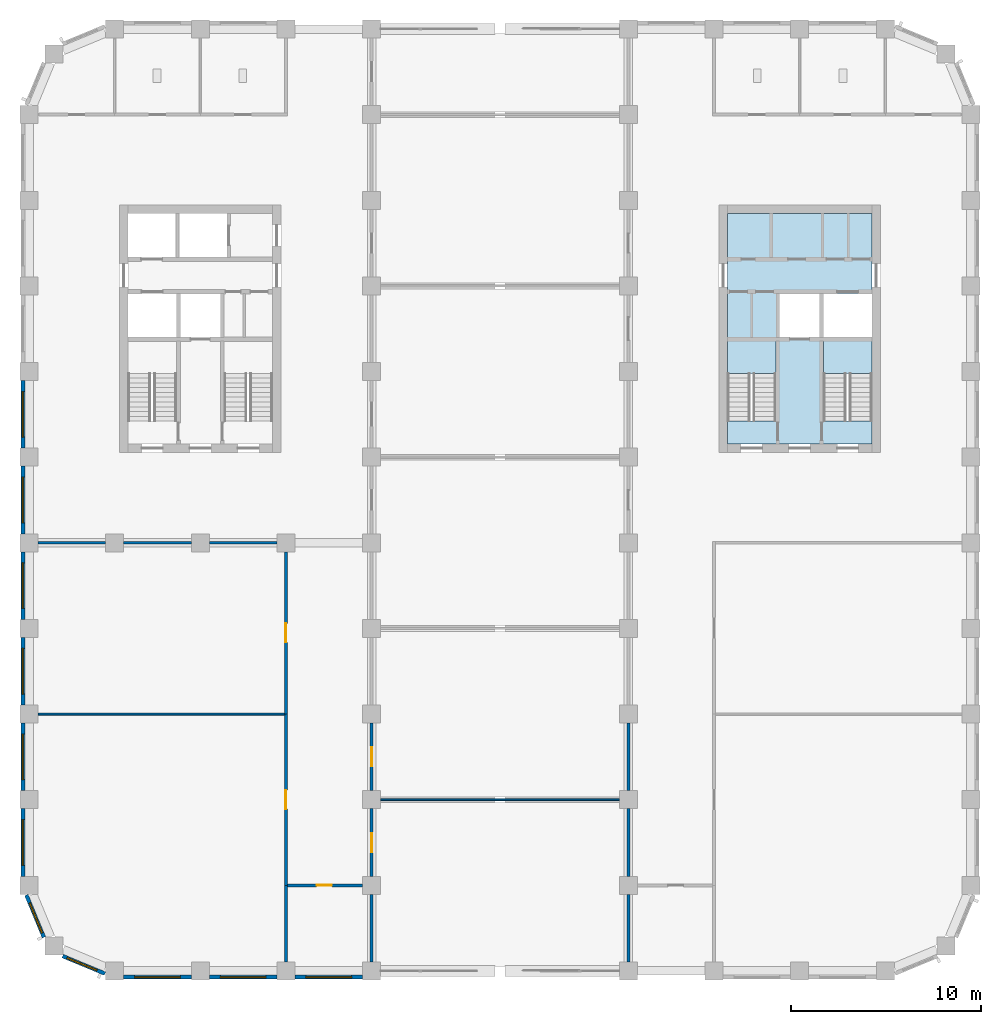
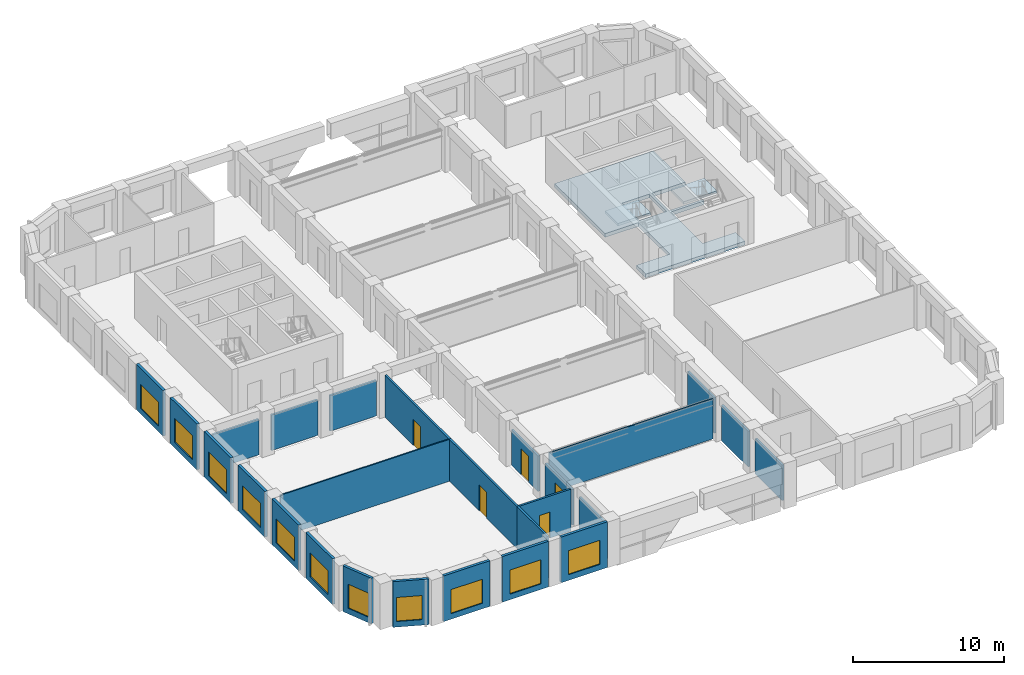
# One storey, part 6 of 14: 26 walls, 11 windows, 5 doors, 3 slabs, 16 openings, 2 elements without a shape of their own.
"""IFC4 building model written with IfcOpenShell, lengths in metres."""

from ifc_helpers import new_model, si_unit, direction, frame, frame_2d, origin, place, context, subcontext, project, spatial, polyline, rectangle, outline, extrude, material, layer, layer_set, type_object, element, fill, aggregate, save


model = new_model("IFC4")

# Units and contexts
model_context = context("Model", 3, precision=1e-05, world=origin(), true_north=direction((0.0, 1.0)))
body_context = subcontext(model_context, "Body", "Model", "MODEL_VIEW")
ifc_project = project(units=[si_unit("LENGTHUNIT", "METRE"), si_unit("AREAUNIT", "SQUARE_METRE"), si_unit("VOLUMEUNIT", "CUBIC_METRE"), si_unit("PLANEANGLEUNIT", "RADIAN"), si_unit("MASSUNIT", "GRAM", prefix="KILO")], contexts=[model_context])

# Site, building, storey
site_placement = place(None, origin())
site = spatial("IfcSite", under=ifc_project, at=site_placement, CompositionType="ELEMENT")
building_placement = place(site_placement, origin())
building = spatial("IfcBuilding", under=site, at=building_placement, Name="Girih Gate Residences", CompositionType="ELEMENT")
storey_placement = place(building_placement, frame((0.0, 0.0, 172.60009765625)))
storey = spatial("IfcBuildingStorey", under=building, at=storey_placement, Name="L47", CompositionType="ELEMENT", Elevation=172.60009765625)

# Slab
ifc_material_1 = material(Name="Concrete C40/50", Category="concrete")
ifc_layer_1 = layer(ifc_material_1, 0.300048828125)
ifc_layer_set_1 = layer_set([ifc_layer_1], Name="Core floor slab 300")
slab_type_1 = type_object("IfcSlabType", Name="Core floor slab 300", PredefinedType="FLOOR", material=ifc_layer_set_1)
slab_1_placement = place(storey_placement, frame((0.0, 0.0, -0.300048828125)))
element("IfcSlab", 1, at=slab_1_placement, inside=storey, type_object=slab_type_1, Name="L47 E core floor", PredefinedType="FLOOR", context=body_context, shape_type="SweptSolid", body=[
    extrude(outline(polyline([(44.300048828125, 27.699951171875), (36.699951171875, 27.699951171875), (36.699951171875, 28.900634765625), (39.25, 28.900634765625), (39.25, 33.10009765625), (36.699951171875, 33.10009765625), (36.699951171875, 39.800048828125), (44.300048828125, 39.800048828125), (44.300048828125, 35.60009765625), (41.75, 35.60009765625), (41.75, 33.300048828125), (44.300048828125, 33.300048828125), (44.300048828125, 33.10009765625), (41.75, 33.10009765625), (41.75, 28.900634765625), (44.300048828125, 28.900634765625), (44.300048828125, 27.699951171875)]), holes=[polyline([(39.449951171875, 33.300048828125), (41.550048828125, 33.300048828125), (41.550048828125, 35.60009765625), (39.449951171875, 35.60009765625), (39.449951171875, 33.300048828125)])]), origin(), (0.0, 0.0, 1.0), 0.300048828125),
])

# Stair, slab
stair_type = type_object("IfcStairType", Name="Exit stair", PredefinedType="HALF_TURN_STAIR", material=ifc_material_1)
stair_1_placement = place(storey_placement, origin())
stair_1 = element("IfcStair", 2, at=stair_1_placement, inside=storey, type_object=stair_type, Name="L47 Exit Stair ST-E1", PredefinedType="HALF_TURN_STAIR")
ifc_layer_2 = layer(ifc_material_1, 0.199951171875)
ifc_layer_set_2 = layer_set([ifc_layer_2], Name="Stair landing 200")
slab_type_2 = type_object("IfcSlabType", Name="Stair landing 200", PredefinedType="LANDING", material=ifc_layer_set_2)
slab_2_placement = place(storey_placement, frame((0.0, 0.0, 1.64990234375)))
slab_2 = element("IfcSlab", 3, at=slab_2_placement, type_object=slab_type_2, Name="ST-E1 landing 1", PredefinedType="LANDING", context=body_context, shape_type="SweptSolid", body=[
    extrude(outline(polyline([(44.300048828125, 31.39990234375), (44.300048828125, 33.10009765625), (41.75, 33.10009765625), (41.75, 31.39990234375), (44.300048828125, 31.39990234375)])), origin(), (0.0, 0.0, 1.0), 0.199951171875),
])
aggregate(stair_1, [slab_2])

stair_2_placement = place(storey_placement, origin())
stair_2 = element("IfcStair", 4, at=stair_2_placement, inside=storey, type_object=stair_type, Name="L47 Exit Stair ST-E2", PredefinedType="HALF_TURN_STAIR")
slab_3_placement = place(storey_placement, frame((0.0, 0.0, 1.64990234375)))
slab_3 = element("IfcSlab", 5, at=slab_3_placement, type_object=slab_type_2, Name="ST-E2 landing 1", PredefinedType="LANDING", context=body_context, shape_type="SweptSolid", body=[
    extrude(outline(polyline([(39.25, 31.39990234375), (39.25, 33.10009765625), (36.699951171875, 33.10009765625), (36.699951171875, 31.39990234375), (39.25, 31.39990234375)])), origin(), (0.0, 0.0, 1.0), 0.199951171875),
])
aggregate(stair_2, [slab_3])

# Walls
ifc_material_2 = material(Name="Gypsum board on steel studs", Category="steel")
ifc_layer_3 = layer(ifc_material_2, 0.14990234375)
ifc_layer_set_3 = layer_set([ifc_layer_3], Name="Compartment wall 150 mm")
wall_type_1 = type_object("IfcWallType", Name="Compartment wall 150 mm", PredefinedType="PARTITIONING", material=ifc_layer_set_3)
for number, where, z_axis, x_axis, name in (
    (6, (31.5, 0.47509765625, 0.0), (0.0, 0.0, 1.0), (0.0, 1.0, 0.0), "L47 partition"),
    (7, (31.5, 4.97509765625, 0.0), (0.0, 0.0, 1.0), (0.0, 1.0, 0.0), "L47 partition"),
    (8, (18.0, 0.47509765625, 0.0), (0.0, 0.0, 1.0), (0.0, 1.0, 0.0), "L47 partition"),
):
    element("IfcWall", number, at=place(storey_placement, frame(where, z_axis=z_axis, x_axis=x_axis)), inside=storey, type_object=wall_type_1, Name=name, PredefinedType="PARTITIONING", context=body_context, shape_type="SweptSolid", body=[
        extrude(rectangle(XDim=3.5498046875, YDim=0.14990234375, at=frame_2d((1.77490234375, 0.0))), origin(), (0.0, 0.0, 1.0), 2.8798828125),
    ])

# Wall, opening, door
wall_1_placement = place(storey_placement, frame((18.0, 8.52490234375, 0.0), z_axis=(0.0, 0.0, 1.0), x_axis=(0.0, -1.0, 0.0)))
wall_1 = element("IfcWall", 9, at=wall_1_placement, inside=storey, type_object=wall_type_1, Name="L47 partition", PredefinedType="PARTITIONING", context=body_context, shape_type="SweptSolid", body=[
    extrude(rectangle(XDim=3.5498046875, YDim=0.14990234375, at=frame_2d((1.77490234375, 0.0))), origin(), (0.0, 0.0, 1.0), 2.8798828125),
])
opening_1_placement = place(wall_1_placement, frame((1.27490234375, 0.0, 0.0)))
opening_1 = element("IfcOpeningElement", 10, at=opening_1_placement, cuts=wall_1, Name="Opening D-L47-S-001", PredefinedType="OPENING", context=body_context, shape_type="SweptSolid", body=[
    extrude(rectangle(XDim=1.0, YDim=2.10009765625, at=frame_2d((0.5, 1.050048828125))), frame((0.0, 0.0849609375, 0.0), z_axis=(0.0, -1.0, 0.0), x_axis=(1.0, 0.0, 0.0)), (0.0, 0.0, 1.0), 0.169921875),
])
ifc_material_3 = material(Name="Timber, fire-rated core", Category="wood")
door_type_1 = type_object("IfcDoorType", Name="Amenity door 1000x2100 FD30S", OperationType="SINGLE_SWING_LEFT", PredefinedType="DOOR", material=ifc_material_3)
door_1_placement = place(opening_1_placement, origin())
door_1 = element("IfcDoor", 11, at=door_1_placement, inside=storey, type_object=door_type_1, Name="Door L47-001", OperationType="SINGLE_SWING_RIGHT", OverallHeight=2.10009765625, OverallWidth=1.0, PredefinedType="DOOR", context=body_context, shape_type="SweptSolid", body=[
    extrude(rectangle(XDim=1.0, YDim=2.10009765625, at=frame_2d((0.5, 1.050048828125))), frame((0.0, 0.02490234375, 0.0), z_axis=(0.0, -1.0, 0.0), x_axis=(1.0, 0.0, 0.0)), (0.0, 0.0, 1.0), 0.050048828125),
])
fill(opening_1, door_1)

# Wall
wall_2_placement = place(storey_placement, frame((31.5, 9.47509765625, 0.0), z_axis=(0.0, 0.0, 1.0), x_axis=(0.0, 1.0, 0.0)))
element("IfcWall", 12, at=wall_2_placement, inside=storey, type_object=wall_type_1, Name="L47 partition", PredefinedType="PARTITIONING", context=body_context, shape_type="SweptSolid", body=[
    extrude(rectangle(XDim=3.5498046875, YDim=0.14990234375, at=frame_2d((1.77490234375, 0.0))), origin(), (0.0, 0.0, 1.0), 2.8798828125),
])

# Wall, opening, door
wall_3_placement = place(storey_placement, frame((18.0, 13.02490234375, 0.0), z_axis=(0.0, 0.0, 1.0), x_axis=(0.0, -1.0, 0.0)))
wall_3 = element("IfcWall", 13, at=wall_3_placement, inside=storey, type_object=wall_type_1, Name="L47 partition", PredefinedType="PARTITIONING", context=body_context, shape_type="SweptSolid", body=[
    extrude(rectangle(XDim=3.5498046875, YDim=0.14990234375, at=frame_2d((1.77490234375, 0.0))), origin(), (0.0, 0.0, 1.0), 2.8798828125),
])
opening_2_placement = place(wall_3_placement, frame((1.27490234375, 0.0, 0.0)))
opening_2 = element("IfcOpeningElement", 14, at=opening_2_placement, cuts=wall_3, Name="Opening D-L47-S-002", PredefinedType="OPENING", context=body_context, shape_type="SweptSolid", body=[
    extrude(rectangle(XDim=1.0, YDim=2.10009765625, at=frame_2d((0.5, 1.050048828125))), frame((0.0, 0.0849609375, 0.0), z_axis=(0.0, -1.0, 0.0), x_axis=(1.0, 0.0, 0.0)), (0.0, 0.0, 1.0), 0.169921875),
])
door_2_placement = place(opening_2_placement, origin())
door_2 = element("IfcDoor", 15, at=door_2_placement, inside=storey, type_object=door_type_1, Name="Door L47-002", OperationType="SINGLE_SWING_RIGHT", OverallHeight=2.10009765625, OverallWidth=1.0, PredefinedType="DOOR", context=body_context, shape_type="SweptSolid", body=[
    extrude(rectangle(XDim=1.0, YDim=2.10009765625, at=frame_2d((0.5, 1.050048828125))), frame((0.0, 0.02490234375, 0.0), z_axis=(0.0, -1.0, 0.0), x_axis=(1.0, 0.0, 0.0)), (0.0, 0.0, 1.0), 0.050048828125),
])
fill(opening_2, door_2)

# Walls
for number, where, z_axis, x_axis, name in (
    (16, (9.47509765625, 22.5, 0.0), (0.0, 0.0, 1.0), (1.0, 0.0, 0.0), "L47 partition"),
    (17, (4.97509765625, 22.5, 0.0), (0.0, 0.0, 1.0), (1.0, 0.0, 0.0), "L47 partition"),
    (18, (0.47509765625, 22.5, 0.0), (0.0, 0.0, 1.0), (1.0, 0.0, 0.0), "L47 partition"),
):
    element("IfcWall", number, at=place(storey_placement, frame(where, z_axis=z_axis, x_axis=x_axis)), inside=storey, type_object=wall_type_1, Name=name, PredefinedType="PARTITIONING", context=body_context, shape_type="SweptSolid", body=[
        extrude(rectangle(XDim=3.5498046875, YDim=0.14990234375, at=frame_2d((1.77490234375, 0.0))), origin(), (0.0, 0.0, 1.0), 2.8798828125),
    ])
wall_4_placement = place(storey_placement, frame((13.5, 0.47509765625, 0.0), z_axis=(0.0, 0.0, 1.0), x_axis=(0.0, 1.0, 0.0)))
element("IfcWall", 19, at=wall_4_placement, inside=storey, type_object=wall_type_1, Name="L47 partition", PredefinedType="PARTITIONING", context=body_context, shape_type="SweptSolid", body=[
    extrude(rectangle(XDim=4.02490234375, YDim=0.14990234375, at=frame_2d((2.012451171875, 0.0))), origin(), (0.0, 0.0, 1.0), 3.39990234375),
])

# Wall, opening, door
wall_5_placement = place(storey_placement, frame((17.52490234375, 4.5, 0.0), z_axis=(0.0, 0.0, 1.0), x_axis=(-1.0, 0.0, 0.0)))
wall_5 = element("IfcWall", 20, at=wall_5_placement, inside=storey, type_object=wall_type_1, Name="L47 partition", PredefinedType="PARTITIONING", context=body_context, shape_type="SweptSolid", body=[
    extrude(rectangle(XDim=3.949951171875, YDim=0.14990234375, at=frame_2d((1.97509765625, 0.0))), origin(), (0.0, 0.0, 1.0), 3.39990234375),
])
opening_3_placement = place(wall_5_placement, frame((1.612548828125, 0.0, 0.0)))
opening_3 = element("IfcOpeningElement", 21, at=opening_3_placement, cuts=wall_5, Name="Opening D-L47-S-019", PredefinedType="OPENING", context=body_context, shape_type="SweptSolid", body=[
    extrude(rectangle(XDim=0.800048828125, YDim=2.10009765625, at=frame_2d((0.39990234375, 1.050048828125))), frame((0.0, 0.0849609375, 0.0), z_axis=(0.0, -1.0, 0.0), x_axis=(1.0, 0.0, 0.0)), (0.0, 0.0, 1.0), 0.169921875),
])
ifc_material_4 = material(Name="Timber", Category="wood")
door_type_2 = type_object("IfcDoorType", Name="WC and store door 800x2100", OperationType="SINGLE_SWING_LEFT", PredefinedType="DOOR", material=ifc_material_4)
door_3_placement = place(opening_3_placement, origin())
door_3 = element("IfcDoor", 22, at=door_3_placement, inside=storey, type_object=door_type_2, Name="Door L47-019", OperationType="SINGLE_SWING_RIGHT", OverallHeight=2.10009765625, OverallWidth=0.800048828125, PredefinedType="DOOR", context=body_context, shape_type="SweptSolid", body=[
    extrude(rectangle(XDim=0.800048828125, YDim=2.10009765625, at=frame_2d((0.39990234375, 1.050048828125))), frame((0.0, 0.02490234375, 0.0), z_axis=(0.0, -1.0, 0.0), x_axis=(1.0, 0.0, 0.0)), (0.0, 0.0, 1.0), 0.050048828125),
])
fill(opening_3, door_3)

wall_6_placement = place(storey_placement, frame((13.5, 4.5, 0.0), z_axis=(0.0, 0.0, 1.0), x_axis=(0.0, 1.0, 0.0)))
wall_6 = element("IfcWall", 23, at=wall_6_placement, inside=storey, type_object=wall_type_1, Name="L47 partition", PredefinedType="PARTITIONING", context=body_context, shape_type="SweptSolid", body=[
    extrude(rectangle(XDim=9.0, YDim=0.14990234375, at=frame_2d((4.5, 0.0))), origin(), (0.0, 0.0, 1.0), 3.39990234375),
])
opening_4_placement = place(wall_6_placement, frame((4.0, 0.0, 0.0)))
opening_4 = element("IfcOpeningElement", 24, at=opening_4_placement, cuts=wall_6, Name="Opening D-L47-S-020", PredefinedType="OPENING", context=body_context, shape_type="SweptSolid", body=[
    extrude(rectangle(XDim=1.0, YDim=2.10009765625, at=frame_2d((0.5, 1.050048828125))), frame((0.0, 0.0849609375, 0.0), z_axis=(0.0, -1.0, 0.0), x_axis=(1.0, 0.0, 0.0)), (0.0, 0.0, 1.0), 0.169921875),
])
door_4_placement = place(opening_4_placement, origin())
door_4 = element("IfcDoor", 25, at=door_4_placement, inside=storey, type_object=door_type_1, Name="Door L47-020", OperationType="SINGLE_SWING_RIGHT", OverallHeight=2.10009765625, OverallWidth=1.0, PredefinedType="DOOR", context=body_context, shape_type="SweptSolid", body=[
    extrude(rectangle(XDim=1.0, YDim=2.10009765625, at=frame_2d((0.5, 1.050048828125))), frame((0.0, 0.02490234375, 0.0), z_axis=(0.0, -1.0, 0.0), x_axis=(1.0, 0.0, 0.0)), (0.0, 0.0, 1.0), 0.050048828125),
])
fill(opening_4, door_4)

wall_7_placement = place(storey_placement, frame((13.5, 13.5, 0.0), z_axis=(0.0, 0.0, 1.0), x_axis=(0.0, 1.0, 0.0)))
wall_7 = element("IfcWall", 26, at=wall_7_placement, inside=storey, type_object=wall_type_1, Name="L47 partition", PredefinedType="PARTITIONING", context=body_context, shape_type="SweptSolid", body=[
    extrude(rectangle(XDim=8.52490234375, YDim=0.14990234375, at=frame_2d((4.262451171875, 0.0))), origin(), (0.0, 0.0, 1.0), 3.39990234375),
])
opening_5_placement = place(wall_7_placement, frame((3.762451171875, 0.0, 0.0)))
opening_5 = element("IfcOpeningElement", 27, at=opening_5_placement, cuts=wall_7, Name="Opening D-L47-S-021", PredefinedType="OPENING", context=body_context, shape_type="SweptSolid", body=[
    extrude(rectangle(XDim=1.0, YDim=2.10009765625, at=frame_2d((0.5, 1.050048828125))), frame((0.0, 0.0849609375, 0.0), z_axis=(0.0, -1.0, 0.0), x_axis=(1.0, 0.0, 0.0)), (0.0, 0.0, 1.0), 0.169921875),
])
door_5_placement = place(opening_5_placement, origin())
door_5 = element("IfcDoor", 28, at=door_5_placement, inside=storey, type_object=door_type_1, Name="Door L47-021", OperationType="SINGLE_SWING_RIGHT", OverallHeight=2.10009765625, OverallWidth=1.0, PredefinedType="DOOR", context=body_context, shape_type="SweptSolid", body=[
    extrude(rectangle(XDim=1.0, YDim=2.10009765625, at=frame_2d((0.5, 1.050048828125))), frame((0.0, 0.02490234375, 0.0), z_axis=(0.0, -1.0, 0.0), x_axis=(1.0, 0.0, 0.0)), (0.0, 0.0, 1.0), 0.050048828125),
])
fill(opening_5, door_5)

# Walls
ifc_layer_4 = layer(ifc_material_2, 0.10009765625)
ifc_layer_set_4 = layer_set([ifc_layer_4], Name="Partition 100 mm")
wall_type_2 = type_object("IfcWallType", Name="Partition 100 mm", PredefinedType="PARTITIONING", material=ifc_layer_set_4)
wall_8_placement = place(storey_placement, frame((18.47509765625, 9.0, 0.0), z_axis=(0.0, 0.0, 1.0), x_axis=(1.0, 0.0, 0.0)))
element("IfcWall", 29, at=wall_8_placement, inside=storey, type_object=wall_type_2, Name="L47 partition", PredefinedType="PARTITIONING", context=body_context, shape_type="SweptSolid", body=[
    extrude(rectangle(XDim=12.5498046875, YDim=0.10009765625, at=frame_2d((6.27490234375, 0.0))), origin(), (0.0, 0.0, 1.0), 3.25),
])
wall_9_placement = place(storey_placement, frame((0.47509765625, 13.5, 0.0), z_axis=(0.0, 0.0, 1.0), x_axis=(1.0, 0.0, 0.0)))
element("IfcWall", 30, at=wall_9_placement, inside=storey, type_object=wall_type_2, Name="L47 partition", PredefinedType="PARTITIONING", context=body_context, shape_type="SweptSolid", body=[
    extrude(rectangle(XDim=12.949951171875, YDim=0.10009765625, at=frame_2d((6.47509765625, 0.0))), origin(), (0.0, 0.0, 1.0), 3.39990234375),
])

# Wall, opening, window
ifc_material_5 = material(Name="Precast concrete C50/60", Category="concrete")
ifc_layer_5 = layer(ifc_material_5, 0.06005859375, Name="Outer leaf")
ifc_material_6 = material(Name="Rigid PIR insulation")
ifc_layer_6 = layer(ifc_material_6, 0.090087890625, Name="Insulation")
ifc_material_7 = material(Name="Precast concrete C40/50", Category="concrete")
ifc_layer_7 = layer(ifc_material_7, 0.050048828125, Name="Inner leaf")
ifc_layer_set_5 = layer_set([ifc_layer_5, ifc_layer_6, ifc_layer_7], Name="Precast concrete C50/60 external wall 200")
wall_type_3 = type_object("IfcWallType", Name="Precast concrete C50/60 external wall 200", PredefinedType="SOLIDWALL", material=ifc_layer_set_5)
wall_10_placement = place(storey_placement, frame((0.7802734375, 1.76708984375, 0.0), z_axis=(0.0, 0.0, 1.0), x_axis=(-0.382680855588, 0.923880599843, 0.0)))
wall_10 = element("IfcWall", 31, at=wall_10_placement, inside=storey, type_object=wall_type_3, Name="External wall SW0000_0045.0", PredefinedType="SOLIDWALL", context=body_context, shape_type="SweptSolid", body=[
    extrude(rectangle(XDim=2.402587890625, YDim=0.199951171875, at=frame_2d((1.201171875, 0.0))), origin(), (0.0, 0.0, 1.0), 3.699951171875),
])
opening_6_placement = place(wall_10_placement, frame((0.25146484375, 0.0, 0.449951171875)))
opening_6 = element("IfcOpeningElement", 32, at=opening_6_placement, cuts=wall_10, Name="Opening W-2E", PredefinedType="OPENING", context=body_context, shape_type="SweptSolid", body=[
    extrude(rectangle(XDim=1.699951171875, YDim=1.949951171875, at=frame_2d((0.85009765625, 0.97509765625))), frame((0.0, 0.10986328125, 0.0), z_axis=(0.0, -1.0, 0.0), x_axis=(1.0, 0.0, 0.0)), (0.0, 0.0, 1.0), 0.219970703125),
])
ifc_material_8 = material(Name="Double glazing in aluminium frame", Category="aluminium")
window_type_1 = type_object("IfcWindowType", Name="Window W-2E 1700x1950", PartitioningType="SINGLE_PANEL", PredefinedType="WINDOW", material=ifc_material_8)
window_1_placement = place(opening_6_placement, origin())
window_1 = element("IfcWindow", 33, at=window_1_placement, inside=storey, type_object=window_type_1, Name="Window W-2E SW0000_0045.0", OverallHeight=1.949951171875, OverallWidth=1.699951171875, PartitioningType="SINGLE_PANEL", PredefinedType="WINDOW", context=body_context, shape_type="SweptSolid", body=[
    extrude(rectangle(XDim=1.699951171875, YDim=1.949951171875, at=frame_2d((0.85009765625, 0.97509765625))), frame((0.0, 0.030029296875, 0.0), z_axis=(0.0, -1.0, 0.0), x_axis=(1.0, 0.0, 0.0)), (0.0, 0.0, 1.0), 0.06005859375),
])
fill(opening_6, window_1)

wall_11_placement = place(storey_placement, frame((3.98681640625, -0.13916015625, 0.0), z_axis=(0.0, 0.0, 1.0), x_axis=(-0.923880599843, 0.382680855588, 0.0)))
wall_11 = element("IfcWall", 34, at=wall_11_placement, inside=storey, type_object=wall_type_3, Name="External wall SW0013_0013.0", PredefinedType="SOLIDWALL", context=body_context, shape_type="SweptSolid", body=[
    extrude(rectangle(XDim=2.402587890625, YDim=0.199951171875, at=frame_2d((1.201171875, 0.0))), origin(), (0.0, 0.0, 1.0), 3.699951171875),
])
opening_7_placement = place(wall_11_placement, frame((0.451171875, 0.0, 0.449951171875)))
opening_7 = element("IfcOpeningElement", 35, at=opening_7_placement, cuts=wall_11, Name="Opening W-2E", PredefinedType="OPENING", context=body_context, shape_type="SweptSolid", body=[
    extrude(rectangle(XDim=1.699951171875, YDim=1.949951171875, at=frame_2d((0.85009765625, 0.97509765625))), frame((0.0, 0.10986328125, 0.0), z_axis=(0.0, -1.0, 0.0), x_axis=(1.0, 0.0, 0.0)), (0.0, 0.0, 1.0), 0.219970703125),
])
window_2_placement = place(opening_7_placement, origin())
window_2 = element("IfcWindow", 36, at=window_2_placement, inside=storey, type_object=window_type_1, Name="Window W-2E SW0013_0013.0", OverallHeight=1.949951171875, OverallWidth=1.699951171875, PartitioningType="SINGLE_PANEL", PredefinedType="WINDOW", context=body_context, shape_type="SweptSolid", body=[
    extrude(rectangle(XDim=1.699951171875, YDim=1.949951171875, at=frame_2d((0.85009765625, 0.97509765625))), frame((0.0, 0.030029296875, 0.0), z_axis=(0.0, -1.0, 0.0), x_axis=(1.0, 0.0, 0.0)), (0.0, 0.0, 1.0), 0.06005859375),
])
fill(opening_7, window_2)

wall_12_placement = place(storey_placement, frame((8.52490234375, -0.324951171875, 0.0), z_axis=(0.0, 0.0, 1.0), x_axis=(-1.0, 0.0, 0.0)))
wall_12 = element("IfcWall", 37, at=wall_12_placement, inside=storey, type_object=wall_type_3, Name="External wall S0045_0000.0", PredefinedType="SOLIDWALL", context=body_context, shape_type="SweptSolid", body=[
    extrude(rectangle(XDim=3.5498046875, YDim=0.199951171875, at=frame_2d((1.77490234375, 0.0))), origin(), (0.0, 0.0, 1.0), 3.699951171875),
])
opening_8_placement = place(wall_12_placement, frame((0.574951171875, 0.0, 0.449951171875)))
opening_8 = element("IfcOpeningElement", 38, at=opening_8_placement, cuts=wall_12, Name="Opening W-1C", PredefinedType="OPENING", context=body_context, shape_type="SweptSolid", body=[
    extrude(rectangle(XDim=2.39990234375, YDim=1.949951171875, at=frame_2d((1.199951171875, 0.97509765625))), frame((0.0, 0.10986328125, 0.0), z_axis=(0.0, -1.0, 0.0), x_axis=(1.0, 0.0, 0.0)), (0.0, 0.0, 1.0), 0.219970703125),
])
window_type_2 = type_object("IfcWindowType", Name="Window W-1C 2400x1950", PartitioningType="SINGLE_PANEL", PredefinedType="WINDOW", material=ifc_material_8)
window_3_placement = place(opening_8_placement, origin())
window_3 = element("IfcWindow", 39, at=window_3_placement, inside=storey, type_object=window_type_2, Name="Window W-1C S0045_0000.0", OverallHeight=1.949951171875, OverallWidth=2.39990234375, PartitioningType="SINGLE_PANEL", PredefinedType="WINDOW", context=body_context, shape_type="SweptSolid", body=[
    extrude(rectangle(XDim=2.39990234375, YDim=1.949951171875, at=frame_2d((1.199951171875, 0.97509765625))), frame((0.0, 0.030029296875, 0.0), z_axis=(0.0, -1.0, 0.0), x_axis=(1.0, 0.0, 0.0)), (0.0, 0.0, 1.0), 0.06005859375),
])
fill(opening_8, window_3)

wall_13_placement = place(storey_placement, frame((13.02490234375, -0.324951171875, 0.0), z_axis=(0.0, 0.0, 1.0), x_axis=(-1.0, 0.0, 0.0)))
wall_13 = element("IfcWall", 40, at=wall_13_placement, inside=storey, type_object=wall_type_3, Name="External wall S0045_0000.1", PredefinedType="SOLIDWALL", context=body_context, shape_type="SweptSolid", body=[
    extrude(rectangle(XDim=3.5498046875, YDim=0.199951171875, at=frame_2d((1.77490234375, 0.0))), origin(), (0.0, 0.0, 1.0), 3.699951171875),
])
opening_9_placement = place(wall_13_placement, frame((0.574951171875, 0.0, 0.449951171875)))
opening_9 = element("IfcOpeningElement", 41, at=opening_9_placement, cuts=wall_13, Name="Opening W-1C", PredefinedType="OPENING", context=body_context, shape_type="SweptSolid", body=[
    extrude(rectangle(XDim=2.39990234375, YDim=1.949951171875, at=frame_2d((1.199951171875, 0.97509765625))), frame((0.0, 0.10986328125, 0.0), z_axis=(0.0, -1.0, 0.0), x_axis=(1.0, 0.0, 0.0)), (0.0, 0.0, 1.0), 0.219970703125),
])
window_4_placement = place(opening_9_placement, origin())
window_4 = element("IfcWindow", 42, at=window_4_placement, inside=storey, type_object=window_type_2, Name="Window W-1C S0045_0000.1", OverallHeight=1.949951171875, OverallWidth=2.39990234375, PartitioningType="SINGLE_PANEL", PredefinedType="WINDOW", context=body_context, shape_type="SweptSolid", body=[
    extrude(rectangle(XDim=2.39990234375, YDim=1.949951171875, at=frame_2d((1.199951171875, 0.97509765625))), frame((0.0, 0.030029296875, 0.0), z_axis=(0.0, -1.0, 0.0), x_axis=(1.0, 0.0, 0.0)), (0.0, 0.0, 1.0), 0.06005859375),
])
fill(opening_9, window_4)

wall_14_placement = place(storey_placement, frame((17.52490234375, -0.324951171875, 0.0), z_axis=(0.0, 0.0, 1.0), x_axis=(-1.0, 0.0, 0.0)))
wall_14 = element("IfcWall", 43, at=wall_14_placement, inside=storey, type_object=wall_type_3, Name="External wall S0045_0000.2", PredefinedType="SOLIDWALL", context=body_context, shape_type="SweptSolid", body=[
    extrude(rectangle(XDim=3.5498046875, YDim=0.199951171875, at=frame_2d((1.77490234375, 0.0))), origin(), (0.0, 0.0, 1.0), 3.699951171875),
])
opening_10_placement = place(wall_14_placement, frame((0.574951171875, 0.0, 0.449951171875)))
opening_10 = element("IfcOpeningElement", 44, at=opening_10_placement, cuts=wall_14, Name="Opening W-1C", PredefinedType="OPENING", context=body_context, shape_type="SweptSolid", body=[
    extrude(rectangle(XDim=2.39990234375, YDim=1.949951171875, at=frame_2d((1.199951171875, 0.97509765625))), frame((0.0, 0.10986328125, 0.0), z_axis=(0.0, -1.0, 0.0), x_axis=(1.0, 0.0, 0.0)), (0.0, 0.0, 1.0), 0.219970703125),
])
window_5_placement = place(opening_10_placement, origin())
window_5 = element("IfcWindow", 45, at=window_5_placement, inside=storey, type_object=window_type_2, Name="Window W-1C S0045_0000.2", OverallHeight=1.949951171875, OverallWidth=2.39990234375, PartitioningType="SINGLE_PANEL", PredefinedType="WINDOW", context=body_context, shape_type="SweptSolid", body=[
    extrude(rectangle(XDim=2.39990234375, YDim=1.949951171875, at=frame_2d((1.199951171875, 0.97509765625))), frame((0.0, 0.030029296875, 0.0), z_axis=(0.0, -1.0, 0.0), x_axis=(1.0, 0.0, 0.0)), (0.0, 0.0, 1.0), 0.06005859375),
])
fill(opening_10, window_5)

wall_15_placement = place(storey_placement, frame((-0.324951171875, 27.47509765625, 0.0), z_axis=(0.0, 0.0, 1.0), x_axis=(0.0, 1.0, 0.0)))
wall_15 = element("IfcWall", 46, at=wall_15_placement, inside=storey, type_object=wall_type_3, Name="External wall W0000_0450.3", PredefinedType="SOLIDWALL", context=body_context, shape_type="SweptSolid", body=[
    extrude(rectangle(XDim=3.5498046875, YDim=0.199951171875, at=frame_2d((1.77490234375, 0.0))), origin(), (0.0, 0.0, 1.0), 3.699951171875),
])
opening_11_placement = place(wall_15_placement, frame((0.574951171875, 0.0, 0.449951171875)))
opening_11 = element("IfcOpeningElement", 47, at=opening_11_placement, cuts=wall_15, Name="Opening W-1C", PredefinedType="OPENING", context=body_context, shape_type="SweptSolid", body=[
    extrude(rectangle(XDim=2.39990234375, YDim=1.949951171875, at=frame_2d((1.199951171875, 0.97509765625))), frame((0.0, 0.10986328125, 0.0), z_axis=(0.0, -1.0, 0.0), x_axis=(1.0, 0.0, 0.0)), (0.0, 0.0, 1.0), 0.219970703125),
])
window_6_placement = place(opening_11_placement, origin())
window_6 = element("IfcWindow", 48, at=window_6_placement, inside=storey, type_object=window_type_2, Name="Window W-1C W0000_0450.3", OverallHeight=1.949951171875, OverallWidth=2.39990234375, PartitioningType="SINGLE_PANEL", PredefinedType="WINDOW", context=body_context, shape_type="SweptSolid", body=[
    extrude(rectangle(XDim=2.39990234375, YDim=1.949951171875, at=frame_2d((1.199951171875, 0.97509765625))), frame((0.0, 0.030029296875, 0.0), z_axis=(0.0, -1.0, 0.0), x_axis=(1.0, 0.0, 0.0)), (0.0, 0.0, 1.0), 0.06005859375),
])
fill(opening_11, window_6)

wall_16_placement = place(storey_placement, frame((-0.324951171875, 22.97509765625, 0.0), z_axis=(0.0, 0.0, 1.0), x_axis=(0.0, 1.0, 0.0)))
wall_16 = element("IfcWall", 49, at=wall_16_placement, inside=storey, type_object=wall_type_3, Name="External wall W0000_0450.4", PredefinedType="SOLIDWALL", context=body_context, shape_type="SweptSolid", body=[
    extrude(rectangle(XDim=3.5498046875, YDim=0.199951171875, at=frame_2d((1.77490234375, 0.0))), origin(), (0.0, 0.0, 1.0), 3.699951171875),
])
opening_12_placement = place(wall_16_placement, frame((0.574951171875, 0.0, 0.449951171875)))
opening_12 = element("IfcOpeningElement", 50, at=opening_12_placement, cuts=wall_16, Name="Opening W-1C", PredefinedType="OPENING", context=body_context, shape_type="SweptSolid", body=[
    extrude(rectangle(XDim=2.39990234375, YDim=1.949951171875, at=frame_2d((1.199951171875, 0.97509765625))), frame((0.0, 0.10986328125, 0.0), z_axis=(0.0, -1.0, 0.0), x_axis=(1.0, 0.0, 0.0)), (0.0, 0.0, 1.0), 0.219970703125),
])
window_7_placement = place(opening_12_placement, origin())
window_7 = element("IfcWindow", 51, at=window_7_placement, inside=storey, type_object=window_type_2, Name="Window W-1C W0000_0450.4", OverallHeight=1.949951171875, OverallWidth=2.39990234375, PartitioningType="SINGLE_PANEL", PredefinedType="WINDOW", context=body_context, shape_type="SweptSolid", body=[
    extrude(rectangle(XDim=2.39990234375, YDim=1.949951171875, at=frame_2d((1.199951171875, 0.97509765625))), frame((0.0, 0.030029296875, 0.0), z_axis=(0.0, -1.0, 0.0), x_axis=(1.0, 0.0, 0.0)), (0.0, 0.0, 1.0), 0.06005859375),
])
fill(opening_12, window_7)

wall_17_placement = place(storey_placement, frame((-0.324951171875, 18.47509765625, 0.0), z_axis=(0.0, 0.0, 1.0), x_axis=(0.0, 1.0, 0.0)))
wall_17 = element("IfcWall", 52, at=wall_17_placement, inside=storey, type_object=wall_type_3, Name="External wall W0000_0450.5", PredefinedType="SOLIDWALL", context=body_context, shape_type="SweptSolid", body=[
    extrude(rectangle(XDim=3.5498046875, YDim=0.199951171875, at=frame_2d((1.77490234375, 0.0))), origin(), (0.0, 0.0, 1.0), 3.699951171875),
])
opening_13_placement = place(wall_17_placement, frame((0.574951171875, 0.0, 0.449951171875)))
opening_13 = element("IfcOpeningElement", 53, at=opening_13_placement, cuts=wall_17, Name="Opening W-1C", PredefinedType="OPENING", context=body_context, shape_type="SweptSolid", body=[
    extrude(rectangle(XDim=2.39990234375, YDim=1.949951171875, at=frame_2d((1.199951171875, 0.97509765625))), frame((0.0, 0.10986328125, 0.0), z_axis=(0.0, -1.0, 0.0), x_axis=(1.0, 0.0, 0.0)), (0.0, 0.0, 1.0), 0.219970703125),
])
window_8_placement = place(opening_13_placement, origin())
window_8 = element("IfcWindow", 54, at=window_8_placement, inside=storey, type_object=window_type_2, Name="Window W-1C W0000_0450.5", OverallHeight=1.949951171875, OverallWidth=2.39990234375, PartitioningType="SINGLE_PANEL", PredefinedType="WINDOW", context=body_context, shape_type="SweptSolid", body=[
    extrude(rectangle(XDim=2.39990234375, YDim=1.949951171875, at=frame_2d((1.199951171875, 0.97509765625))), frame((0.0, 0.030029296875, 0.0), z_axis=(0.0, -1.0, 0.0), x_axis=(1.0, 0.0, 0.0)), (0.0, 0.0, 1.0), 0.06005859375),
])
fill(opening_13, window_8)

wall_18_placement = place(storey_placement, frame((-0.324951171875, 13.97509765625, 0.0), z_axis=(0.0, 0.0, 1.0), x_axis=(0.0, 1.0, 0.0)))
wall_18 = element("IfcWall", 55, at=wall_18_placement, inside=storey, type_object=wall_type_3, Name="External wall W0000_0450.6", PredefinedType="SOLIDWALL", context=body_context, shape_type="SweptSolid", body=[
    extrude(rectangle(XDim=3.5498046875, YDim=0.199951171875, at=frame_2d((1.77490234375, 0.0))), origin(), (0.0, 0.0, 1.0), 3.699951171875),
])
opening_14_placement = place(wall_18_placement, frame((0.574951171875, 0.0, 0.449951171875)))
opening_14 = element("IfcOpeningElement", 56, at=opening_14_placement, cuts=wall_18, Name="Opening W-1C", PredefinedType="OPENING", context=body_context, shape_type="SweptSolid", body=[
    extrude(rectangle(XDim=2.39990234375, YDim=1.949951171875, at=frame_2d((1.199951171875, 0.97509765625))), frame((0.0, 0.10986328125, 0.0), z_axis=(0.0, -1.0, 0.0), x_axis=(1.0, 0.0, 0.0)), (0.0, 0.0, 1.0), 0.219970703125),
])
window_9_placement = place(opening_14_placement, origin())
window_9 = element("IfcWindow", 57, at=window_9_placement, inside=storey, type_object=window_type_2, Name="Window W-1C W0000_0450.6", OverallHeight=1.949951171875, OverallWidth=2.39990234375, PartitioningType="SINGLE_PANEL", PredefinedType="WINDOW", context=body_context, shape_type="SweptSolid", body=[
    extrude(rectangle(XDim=2.39990234375, YDim=1.949951171875, at=frame_2d((1.199951171875, 0.97509765625))), frame((0.0, 0.030029296875, 0.0), z_axis=(0.0, -1.0, 0.0), x_axis=(1.0, 0.0, 0.0)), (0.0, 0.0, 1.0), 0.06005859375),
])
fill(opening_14, window_9)

wall_19_placement = place(storey_placement, frame((-0.324951171875, 9.47509765625, 0.0), z_axis=(0.0, 0.0, 1.0), x_axis=(0.0, 1.0, 0.0)))
wall_19 = element("IfcWall", 58, at=wall_19_placement, inside=storey, type_object=wall_type_3, Name="External wall W0000_0450.7", PredefinedType="SOLIDWALL", context=body_context, shape_type="SweptSolid", body=[
    extrude(rectangle(XDim=3.5498046875, YDim=0.199951171875, at=frame_2d((1.77490234375, 0.0))), origin(), (0.0, 0.0, 1.0), 3.699951171875),
])
opening_15_placement = place(wall_19_placement, frame((0.574951171875, 0.0, 0.449951171875)))
opening_15 = element("IfcOpeningElement", 59, at=opening_15_placement, cuts=wall_19, Name="Opening W-1C", PredefinedType="OPENING", context=body_context, shape_type="SweptSolid", body=[
    extrude(rectangle(XDim=2.39990234375, YDim=1.949951171875, at=frame_2d((1.199951171875, 0.97509765625))), frame((0.0, 0.10986328125, 0.0), z_axis=(0.0, -1.0, 0.0), x_axis=(1.0, 0.0, 0.0)), (0.0, 0.0, 1.0), 0.219970703125),
])
window_10_placement = place(opening_15_placement, origin())
window_10 = element("IfcWindow", 60, at=window_10_placement, inside=storey, type_object=window_type_2, Name="Window W-1C W0000_0450.7", OverallHeight=1.949951171875, OverallWidth=2.39990234375, PartitioningType="SINGLE_PANEL", PredefinedType="WINDOW", context=body_context, shape_type="SweptSolid", body=[
    extrude(rectangle(XDim=2.39990234375, YDim=1.949951171875, at=frame_2d((1.199951171875, 0.97509765625))), frame((0.0, 0.030029296875, 0.0), z_axis=(0.0, -1.0, 0.0), x_axis=(1.0, 0.0, 0.0)), (0.0, 0.0, 1.0), 0.06005859375),
])
fill(opening_15, window_10)

wall_20_placement = place(storey_placement, frame((-0.324951171875, 4.97509765625, 0.0), z_axis=(0.0, 0.0, 1.0), x_axis=(0.0, 1.0, 0.0)))
wall_20 = element("IfcWall", 61, at=wall_20_placement, inside=storey, type_object=wall_type_3, Name="External wall W0000_0450.8", PredefinedType="SOLIDWALL", context=body_context, shape_type="SweptSolid", body=[
    extrude(rectangle(XDim=3.5498046875, YDim=0.199951171875, at=frame_2d((1.77490234375, 0.0))), origin(), (0.0, 0.0, 1.0), 3.699951171875),
])
opening_16_placement = place(wall_20_placement, frame((0.574951171875, 0.0, 0.449951171875)))
opening_16 = element("IfcOpeningElement", 62, at=opening_16_placement, cuts=wall_20, Name="Opening W-1C", PredefinedType="OPENING", context=body_context, shape_type="SweptSolid", body=[
    extrude(rectangle(XDim=2.39990234375, YDim=1.949951171875, at=frame_2d((1.199951171875, 0.97509765625))), frame((0.0, 0.10986328125, 0.0), z_axis=(0.0, -1.0, 0.0), x_axis=(1.0, 0.0, 0.0)), (0.0, 0.0, 1.0), 0.219970703125),
])
window_11_placement = place(opening_16_placement, origin())
window_11 = element("IfcWindow", 63, at=window_11_placement, inside=storey, type_object=window_type_2, Name="Window W-1C W0000_0450.8", OverallHeight=1.949951171875, OverallWidth=2.39990234375, PartitioningType="SINGLE_PANEL", PredefinedType="WINDOW", context=body_context, shape_type="SweptSolid", body=[
    extrude(rectangle(XDim=2.39990234375, YDim=1.949951171875, at=frame_2d((1.199951171875, 0.97509765625))), frame((0.0, 0.030029296875, 0.0), z_axis=(0.0, -1.0, 0.0), x_axis=(1.0, 0.0, 0.0)), (0.0, 0.0, 1.0), 0.06005859375),
])
fill(opening_16, window_11)

save(model, "model.ifc")
